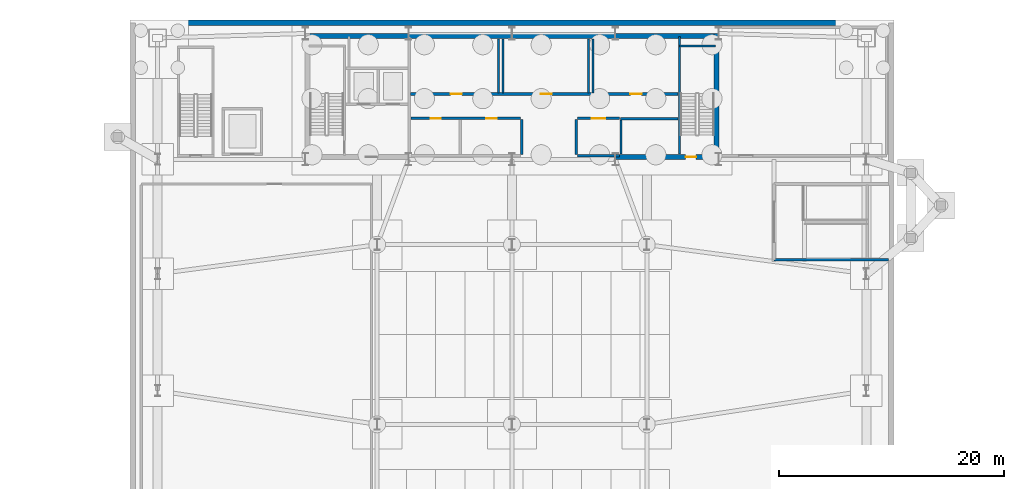
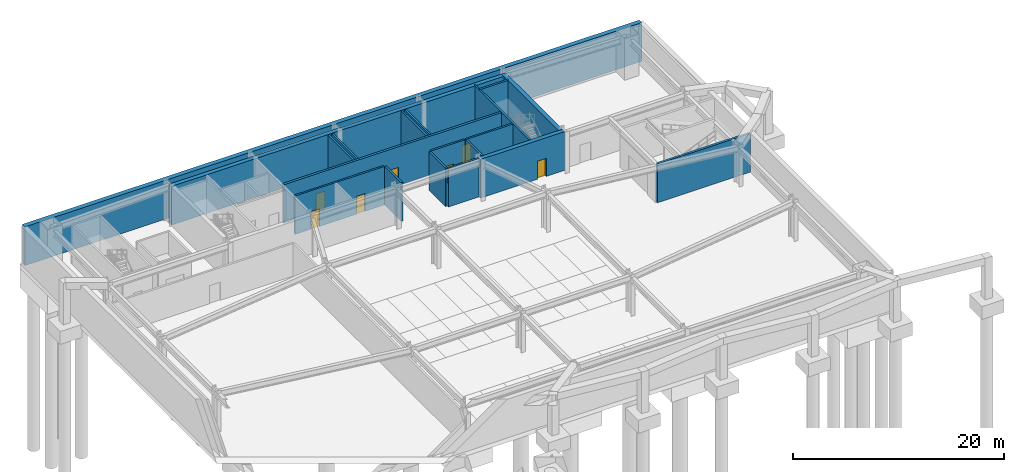
# One storey, part 7 of 12: 19 walls, 7 doors, 7 openings.
"""IFC4 building model written with IfcOpenShell, lengths in metres."""

from ifc_helpers import new_model, si_unit, direction, frame, frame_2d, origin, place, context, subcontext, project, spatial, rectangle, extrude, source, transform, mapped, material, layer, layer_set, type_object, type_shapes, element, fill, save


model = new_model("IFC4")

# Units and contexts
model_context = context("Model", 3, precision=1e-05, world=origin(), true_north=direction((0.0, 1.0)))
body_context = subcontext(model_context, "Body", "Model", "MODEL_VIEW")
ifc_project = project(units=[si_unit("LENGTHUNIT", "METRE"), si_unit("AREAUNIT", "SQUARE_METRE"), si_unit("VOLUMEUNIT", "CUBIC_METRE"), si_unit("PLANEANGLEUNIT", "RADIAN"), si_unit("MASSUNIT", "GRAM", prefix="KILO")], contexts=[model_context])

# Site, building, storey
site_placement = place(None, origin())
site = spatial("IfcSite", under=ifc_project, at=site_placement, CompositionType="ELEMENT")
building_placement = place(site_placement, origin())
building = spatial("IfcBuilding", under=site, at=building_placement, Name="Varnel Quay Broadcast Tower", CompositionType="ELEMENT")
storey_placement = place(building_placement, frame((0.0, 0.0, -9.60009765625)))
storey = spatial("IfcBuildingStorey", under=building, at=storey_placement, Name="B2", CompositionType="ELEMENT", Elevation=-9.60009765625)

# Walls
ifc_material_1 = material(Name="Concrete CSA A23.3 C50/60", Category="concrete")
ifc_layer_1 = layer(ifc_material_1, 0.5, Name="Concrete CSA A23.3 C50/60")
ifc_layer_set_1 = layer_set([ifc_layer_1], Name="Concrete CSA A23.3 C50/60")
wall_type_1 = type_object("IfcWallType", Name="Wall_BasementRetaining500", PredefinedType="USERDEFINED", material=ifc_layer_set_1)
wall_1_placement = place(storey_placement, frame((67.75, 47.75, 0.0), z_axis=(0.0, 0.0, 1.0), x_axis=(-1.0, 0.0, 0.0)))
element("IfcWall", 1, at=wall_1_placement, inside=storey, type_object=wall_type_1, Name="B2 Perimeter Retaining Wall N", ObjectType="RETAININGWALL", PredefinedType="USERDEFINED", context=body_context, shape_type="SweptSolid", body=[
    extrude(rectangle(XDim=67.5, YDim=0.5, at=frame_2d((33.75, 0.0))), origin(), (0.0, 0.0, 1.0), 4.47998046875),
])
ifc_layer_2 = layer(ifc_material_1, 0.199951171875, Name="Concrete CSA A23.3 C50/60")
ifc_layer_set_2 = layer_set([ifc_layer_2], Name="Concrete CSA A23.3 C50/60")
wall_type_2 = type_object("IfcWallType", Name="Wall_CoreShaftShear200", PredefinedType="SHEAR", material=ifc_layer_set_2)
wall_2_placement = place(storey_placement, frame((48.919921875, 36.050048828125, 0.0), z_axis=(0.0, 0.0, 1.0), x_axis=(0.0, 1.0, 0.0)))
element("IfcWall", 2, at=wall_2_placement, inside=storey, type_object=wall_type_2, Name="B2 Stair 2 West Structural Wall", PredefinedType="SHEAR", context=body_context, shape_type="SweptSolid", body=[
    extrude(rectangle(XDim=10.5, YDim=0.199951171875, at=frame_2d((5.25, 0.0))), origin(), (0.0, 0.0, 1.0), 4.47998046875),
])
wall_3_placement = place(storey_placement, frame((48.919921875, 45.679931640625, 0.0), z_axis=(0.0, 0.0, 1.0), x_axis=(1.0, 0.0, 0.0)))
element("IfcWall", 3, at=wall_3_placement, inside=storey, type_object=wall_type_2, Name="B2 Stair 2 North Structural Wall", PredefinedType="SHEAR", context=body_context, shape_type="SweptSolid", body=[
    extrude(rectangle(XDim=3.18017578125, YDim=0.199951171875, at=frame_2d((1.590087890625, 0.0))), origin(), (0.0, 0.0, 1.0), 4.47998046875),
])
wall_4_placement = place(storey_placement, frame((43.699951171875, 36.050048828125, 0.0), z_axis=(0.0, 0.0, 1.0), x_axis=(0.0, 1.0, 0.0)))
element("IfcWall", 4, at=wall_4_placement, inside=storey, type_object=wall_type_2, Name="B2 Express Lift Shaft West Wall", PredefinedType="SHEAR", context=body_context, shape_type="SweptSolid", body=[
    extrude(rectangle(XDim=3.050048828125, YDim=0.199951171875, at=frame_2d((1.52490234375, 0.0))), origin(), (0.0, 0.0, 1.0), 4.47998046875),
])
wall_5_placement = place(storey_placement, frame((43.64990234375, 39.199951171875, 0.0), z_axis=(0.0, 0.0, 1.0), x_axis=(1.0, 0.0, 0.0)))
element("IfcWall", 5, at=wall_5_placement, inside=storey, type_object=wall_type_2, Name="B2 Express Lift Shaft North Front Wall", PredefinedType="SHEAR", context=body_context, shape_type="SweptSolid", body=[
    extrude(rectangle(XDim=5.150146484375, YDim=0.199951171875, at=frame_2d((2.5751953125, 0.0))), origin(), (0.0, 0.0, 1.0), 4.47998046875),
])
ifc_layer_3 = layer(ifc_material_1, 0.25, Name="Concrete CSA A23.3 C50/60")
ifc_layer_set_3 = layer_set([ifc_layer_3], Name="Concrete CSA A23.3 C50/60")
wall_type_3 = type_object("IfcWallType", Name="Wall_CoreShaftShear250", PredefinedType="SHEAR", material=ifc_layer_set_3)
wall_6_placement = place(storey_placement, frame((57.320068359375, 26.64990234375, 0.0), z_axis=(0.0, 0.0, 1.0), x_axis=(1.0, 0.0, 0.0)))
element("IfcWall", 6, at=wall_6_placement, inside=storey, type_object=wall_type_3, Name="B2 Vehicle Ramp Structural Enclosure Wall S", PredefinedType="SHEAR", context=body_context, shape_type="SweptSolid", body=[
    extrude(rectangle(XDim=10.179931640625, YDim=0.25, at=frame_2d((5.08984375, 0.0))), origin(), (0.0, 0.0, 1.0), 4.47998046875),
])

# Wall, openings, doors
wall_7_placement = place(storey_placement, frame((24.97998046875, 41.39990234375, 0.0), z_axis=(0.0, 0.0, 1.0), x_axis=(1.0, 0.0, 0.0)))
wall_7 = element("IfcWall", 7, at=wall_7_placement, inside=storey, type_object=wall_type_3, Name="B2 North Lift Bank & Reclaimed Suite Wall", PredefinedType="SHEAR", context=body_context, shape_type="SweptSolid", body=[
    extrude(rectangle(XDim=23.820068359375, YDim=0.25, at=frame_2d((11.91015625, 0.0))), origin(), (0.0, 0.0, 1.0), 4.47998046875),
])
opening_1_placement = place(wall_7_placement, frame((3.56005859375, 0.0, 0.0)))
opening_1 = element("IfcOpeningElement", 8, at=opening_1_placement, cuts=wall_7, Name="Opening D-B2-BSTOR1", PredefinedType="OPENING", context=body_context, shape_type="SweptSolid", body=[
    extrude(rectangle(XDim=1.0, YDim=2.080078125, at=frame_2d((0.5, 1.0400390625))), frame((0.0, 0.135009765625, 0.0), z_axis=(0.0, -1.0, 0.0), x_axis=(1.0, 0.0, 0.0)), (0.0, 0.0, 1.0), 0.27001953125),
])
opening_2_placement = place(wall_7_placement, frame((11.56005859375, 0.0, 0.0)))
opening_2 = element("IfcOpeningElement", 9, at=opening_2_placement, cuts=wall_7, Name="Opening D-B2-BSTOR2", PredefinedType="OPENING", context=body_context, shape_type="SweptSolid", body=[
    extrude(rectangle(XDim=1.0, YDim=2.080078125, at=frame_2d((0.5, 1.0400390625))), frame((0.0, 0.135009765625, 0.0), z_axis=(0.0, -1.0, 0.0), x_axis=(1.0, 0.0, 0.0)), (0.0, 0.0, 1.0), 0.27001953125),
])
opening_3_placement = place(wall_7_placement, frame((19.56005859375, 0.0, 0.0)))
opening_3 = element("IfcOpeningElement", 10, at=opening_3_placement, cuts=wall_7, Name="Opening D-B2-BSTOR3", PredefinedType="OPENING", context=body_context, shape_type="SweptSolid", body=[
    extrude(rectangle(XDim=1.0, YDim=2.080078125, at=frame_2d((0.5, 1.0400390625))), frame((0.0, 0.135009765625, 0.0), z_axis=(0.0, -1.0, 0.0), x_axis=(1.0, 0.0, 0.0)), (0.0, 0.0, 1.0), 0.27001953125),
])
ifc_material_2 = material(Name="Insulated Fire-Rated Hollow Steel Door", Category="steel")
door_type_1 = type_object("IfcDoorType", Name="Door_FireLobby1000", OperationType="NOTDEFINED", PredefinedType="DOOR", material=ifc_material_2)
shared_shape_1 = source(origin(), body_context, "Body", "SweptSolid", [
    extrude(rectangle(XDim=1.0, YDim=2.080078125, at=frame_2d((0.5, 1.0400390625))), frame((0.0, 0.02490234375, 0.0), z_axis=(0.0, -1.0, 0.0), x_axis=(1.0, 0.0, 0.0)), (0.0, 0.0, 1.0), 0.050048828125),
])
type_shapes(door_type_1, [shared_shape_1])
door_1_placement = place(opening_1_placement, origin())
door_1 = element("IfcDoor", 11, at=door_1_placement, inside=storey, type_object=door_type_1, Name="B2 Basement Pump Room Door", OperationType="SINGLE_SWING_RIGHT", OverallHeight=2.080078125, OverallWidth=1.0, PredefinedType="DOOR", context=body_context, shape_type="MappedRepresentation", body=[
    mapped(shared_shape_1, transform((0.0, 0.0, 0.0), x_axis=(1.0, 0.0, 0.0), y_axis=(0.0, 1.0, 0.0), z_axis=(0.0, 0.0, 1.0), scale=1.0)),
])
fill(opening_1, door_1)
door_2_placement = place(opening_2_placement, origin())
door_2 = element("IfcDoor", 12, at=door_2_placement, inside=storey, type_object=door_type_1, Name="B2 Sprinkler Valve Room Door", OperationType="SINGLE_SWING_LEFT", OverallHeight=2.080078125, OverallWidth=1.0, PredefinedType="DOOR", context=body_context, shape_type="MappedRepresentation", body=[
    mapped(shared_shape_1, transform((0.0, 0.0, 0.0), x_axis=(1.0, 0.0, 0.0), y_axis=(0.0, 1.0, 0.0), z_axis=(0.0, 0.0, 1.0), scale=1.0)),
])
fill(opening_2, door_2)
door_3_placement = place(opening_3_placement, origin())
door_3 = element("IfcDoor", 13, at=door_3_placement, inside=storey, type_object=door_type_1, Name="B2 Main Switchgear Vault Door", OperationType="SINGLE_SWING_RIGHT", OverallHeight=2.080078125, OverallWidth=1.0, PredefinedType="DOOR", context=body_context, shape_type="MappedRepresentation", body=[
    mapped(shared_shape_1, transform((0.0, 0.0, 0.0), x_axis=(1.0, 0.0, 0.0), y_axis=(0.0, 1.0, 0.0), z_axis=(0.0, 0.0, 1.0), scale=1.0)),
])
fill(opening_3, door_3)

# Walls
ifc_material_3 = material(Name="Concrete CSA A23.3 C60/75", Category="concrete")
ifc_layer_4 = layer(ifc_material_3, 0.449951171875, Name="Concrete CSA A23.3 C60/75")
ifc_layer_set_4 = layer_set([ifc_layer_4], Name="Concrete CSA A23.3 C60/75")
wall_type_4 = type_object("IfcWallType", Name="Wall_CoreShearInt450", PredefinedType="SHEAR", material=ifc_layer_set_4)
wall_8_placement = place(storey_placement, frame((15.60009765625, 46.574951171875, 0.0), z_axis=(0.0, 0.0, 1.0), x_axis=(1.0, 0.0, 0.0)))
element("IfcWall", 14, at=wall_8_placement, inside=storey, type_object=wall_type_4, Name="B2 North Core Shear Wall", PredefinedType="SHEAR", context=body_context, shape_type="SweptSolid", body=[
    extrude(rectangle(XDim=36.7998046875, YDim=0.449951171875, at=frame_2d((18.39990234375, 0.0))), origin(), (0.0, 0.0, 1.0), 4.47998046875),
])
wall_9_placement = place(storey_placement, frame((52.205078125, 35.570068359375, 0.0), z_axis=(0.0, 0.0, 1.0), x_axis=(0.0, 1.0, 0.0)))
element("IfcWall", 15, at=wall_9_placement, inside=storey, type_object=wall_type_4, Name="B2 East Core Shear Wall", PredefinedType="SHEAR", context=body_context, shape_type="SweptSolid", body=[
    extrude(rectangle(XDim=11.22998046875, YDim=0.449951171875, at=frame_2d((5.614990234375, 0.0))), origin(), (0.0, 0.0, 1.0), 4.47998046875),
])

# Wall, opening, door
wall_10_placement = place(storey_placement, frame((43.199951171875, 35.794921875, 0.0), z_axis=(0.0, 0.0, 1.0), x_axis=(1.0, 0.0, 0.0)))
wall_10 = element("IfcWall", 16, at=wall_10_placement, inside=storey, type_object=wall_type_4, Name="B2 South-East Core Shear Wall", PredefinedType="SHEAR", context=body_context, shape_type="SweptSolid", body=[
    extrude(rectangle(XDim=9.22998046875, YDim=0.449951171875, at=frame_2d((4.614990234375, 0.0))), origin(), (0.0, 0.0, 1.0), 4.47998046875),
])
opening_4_placement = place(wall_10_placement, frame((6.25, 0.0, 0.0)))
opening_4 = element("IfcOpeningElement", 17, at=opening_4_placement, cuts=wall_10, Name="Opening D-B2-S2", PredefinedType="OPENING", context=body_context, shape_type="SweptSolid", body=[
    extrude(rectangle(XDim=0.949951171875, YDim=2.10009765625, at=frame_2d((0.47509765625, 1.050048828125))), frame((0.0, 0.23486328125, 0.0), z_axis=(0.0, -1.0, 0.0), x_axis=(1.0, 0.0, 0.0)), (0.0, 0.0, 1.0), 0.469970703125),
])
door_type_2 = type_object("IfcDoorType", Name="Door_FireStair950", OperationType="NOTDEFINED", PredefinedType="DOOR", material=ifc_material_2)
shared_shape_2 = source(origin(), body_context, "Body", "SweptSolid", [
    extrude(rectangle(XDim=0.949951171875, YDim=2.10009765625, at=frame_2d((0.47509765625, 1.050048828125))), frame((0.0, 0.02490234375, 0.0), z_axis=(0.0, -1.0, 0.0), x_axis=(1.0, 0.0, 0.0)), (0.0, 0.0, 1.0), 0.050048828125),
])
type_shapes(door_type_2, [shared_shape_2])
door_4_placement = place(opening_4_placement, origin())
door_4 = element("IfcDoor", 18, at=door_4_placement, inside=storey, type_object=door_type_2, Name="B2 Stair 2 Fire Door", OperationType="SINGLE_SWING_LEFT", OverallHeight=2.10009765625, OverallWidth=0.949951171875, PredefinedType="DOOR", context=body_context, shape_type="MappedRepresentation", body=[
    mapped(shared_shape_2, transform((0.0, 0.0, 0.0), x_axis=(1.0, 0.0, 0.0), y_axis=(0.0, 1.0, 0.0), z_axis=(0.0, 0.0, 1.0), scale=1.0)),
])
fill(opening_4, door_4)

# Wall
ifc_material_4 = material(Name="Concrete Blockwork Fire Enclosure C40/50", Category="masonry")
ifc_layer_5 = layer(ifc_material_4, 0.199951171875, Name="Concrete Blockwork Fire Enclosure C40/50")
ifc_layer_set_5 = layer_set([ifc_layer_5], Name="Concrete Blockwork Fire Enclosure C40/50")
wall_type_5 = type_object("IfcWallType", Name="Wall_FireShaft200", PredefinedType="SOLIDWALL", material=ifc_layer_set_5)
wall_11_placement = place(storey_placement, frame((39.85009765625, 35.925048828125, 0.0), z_axis=(0.0, 0.0, 1.0), x_axis=(1.0, 0.0, 0.0)))
element("IfcWall", 19, at=wall_11_placement, inside=storey, type_object=wall_type_5, Name="B2 Electrical Sub-Distribution Closet Partition 5", PredefinedType="SOLIDWALL", context=body_context, shape_type="SweptSolid", body=[
    extrude(rectangle(XDim=3.699951171875, YDim=0.199951171875, at=frame_2d((1.85009765625, 0.0))), origin(), (0.0, 0.0, 1.0), 4.460205078125),
])

# Wall, opening, door
wall_12_placement = place(storey_placement, frame((39.85009765625, 39.25, 0.0), z_axis=(0.0, 0.0, 1.0), x_axis=(1.0, 0.0, 0.0)))
wall_12 = element("IfcWall", 20, at=wall_12_placement, inside=storey, type_object=wall_type_5, Name="B2 Electrical Sub-Distribution Closet Partition 6", PredefinedType="SOLIDWALL", context=body_context, shape_type="SweptSolid", body=[
    extrude(rectangle(XDim=3.699951171875, YDim=0.199951171875, at=frame_2d((1.85009765625, 0.0))), origin(), (0.0, 0.0, 1.0), 4.460205078125),
])
opening_5_placement = place(wall_12_placement, frame((1.25, 0.0, 0.0)))
opening_5 = element("IfcOpeningElement", 21, at=opening_5_placement, cuts=wall_12, Name="Opening D-B2-03", PredefinedType="OPENING", context=body_context, shape_type="SweptSolid", body=[
    extrude(rectangle(XDim=1.199951171875, YDim=2.10009765625, at=frame_2d((0.60009765625, 1.050048828125))), frame((0.0, 0.10986328125, 0.0), z_axis=(0.0, -1.0, 0.0), x_axis=(1.0, 0.0, 0.0)), (0.0, 0.0, 1.0), 0.219970703125),
])
door_type_3 = type_object("IfcDoorType", Name="Door_Plant1200", OperationType="NOTDEFINED", PredefinedType="DOOR", material=ifc_material_2)
shared_shape_3 = source(origin(), body_context, "Body", "SweptSolid", [
    extrude(rectangle(XDim=1.199951171875, YDim=2.10009765625, at=frame_2d((0.60009765625, 1.050048828125))), frame((0.0, 0.02490234375, 0.0), z_axis=(0.0, -1.0, 0.0), x_axis=(1.0, 0.0, 0.0)), (0.0, 0.0, 1.0), 0.050048828125),
])
type_shapes(door_type_3, [shared_shape_3])
door_5_placement = place(opening_5_placement, origin())
door_5 = element("IfcDoor", 22, at=door_5_placement, inside=storey, type_object=door_type_3, Name="B2 Electrical Sub-Distribution Closet Door D-B2-03", OperationType="SINGLE_SWING_RIGHT", OverallHeight=2.10009765625, OverallWidth=1.199951171875, PredefinedType="DOOR", context=body_context, shape_type="MappedRepresentation", body=[
    mapped(shared_shape_3, transform((0.0, 0.0, 0.0), x_axis=(1.0, 0.0, 0.0), y_axis=(0.0, 1.0, 0.0), z_axis=(0.0, 0.0, 1.0), scale=1.0)),
])
fill(opening_5, door_5)

# Walls
wall_13_placement = place(storey_placement, frame((39.72509765625, 36.02490234375, 0.0), z_axis=(0.0, 0.0, 1.0), x_axis=(0.0, 1.0, 0.0)))
element("IfcWall", 23, at=wall_13_placement, inside=storey, type_object=wall_type_5, Name="B2 Electrical Sub-Distribution Closet Partition 7", PredefinedType="SOLIDWALL", context=body_context, shape_type="SweptSolid", body=[
    extrude(rectangle(XDim=3.125, YDim=0.199951171875, at=frame_2d((1.5625, 0.0))), origin(), (0.0, 0.0, 1.0), 4.460205078125),
])
for number, where, z_axis, x_axis, name in (
    (24, (32.800048828125, 41.5, 0.0), (0.0, 0.0, 1.0), (0.0, 1.0, 0.0), "B2 Basement Pump Room Partition 15"),
    (25, (40.800048828125, 41.5, 0.0), (0.0, 0.0, 1.0), (0.0, 1.0, 0.0), "B2 Sprinkler Valve Room Partition 16"),
    (26, (33.199951171875, 41.5, 0.0), (0.0, 0.0, 1.0), (0.0, 1.0, 0.0), "B2 Sprinkler Valve Room Partition 17"),
    (27, (41.199951171875, 41.5, 0.0), (0.0, 0.0, 1.0), (0.0, 1.0, 0.0), "B2 Main Switchgear Vault Partition 18"),
):
    element("IfcWall", number, at=place(storey_placement, frame(where, z_axis=z_axis, x_axis=x_axis)), inside=storey, type_object=wall_type_5, Name=name, PredefinedType="SOLIDWALL", context=body_context, shape_type="SweptSolid", body=[
        extrude(rectangle(XDim=4.800048828125, YDim=0.199951171875, at=frame_2d((2.39990234375, 0.0))), origin(), (0.0, 0.0, 1.0), 4.460205078125),
    ])

# Wall, openings, doors
ifc_material_5 = material(Name="Fire-Rated Moisture-Resistant Plumbing Chase Partition")
ifc_layer_6 = layer(ifc_material_5, 0.199951171875, Name="Fire-Rated Moisture-Resistant Plumbing Chase Partition")
ifc_layer_set_6 = layer_set([ifc_layer_6], Name="Fire-Rated Moisture-Resistant Plumbing Chase Partition")
wall_type_6 = type_object("IfcWallType", Name="Wall_Plumbing200", PredefinedType="PLUMBINGWALL", material=ifc_layer_set_6)
wall_14_placement = place(storey_placement, frame((25.0, 39.25, 0.0), z_axis=(0.0, 0.0, 1.0), x_axis=(1.0, 0.0, 0.0)))
wall_14 = element("IfcWall", 28, at=wall_14_placement, inside=storey, type_object=wall_type_6, Name="B2 Accessible Washroom Partition 3", PredefinedType="PLUMBINGWALL", context=body_context, shape_type="SweptSolid", body=[
    extrude(rectangle(XDim=9.75, YDim=0.199951171875, at=frame_2d((4.875, 0.0))), origin(), (0.0, 0.0, 1.0), 4.460205078125),
])
opening_6_placement = place(wall_14_placement, frame((1.75, 0.0, 0.0)))
opening_6 = element("IfcOpeningElement", 29, at=opening_6_placement, cuts=wall_14, Name="Opening D-B2-01", PredefinedType="OPENING", context=body_context, shape_type="SweptSolid", body=[
    extrude(rectangle(XDim=0.89990234375, YDim=2.06005859375, at=frame_2d((0.449951171875, 1.030029296875))), frame((0.0, 0.10986328125, 0.0), z_axis=(0.0, -1.0, 0.0), x_axis=(1.0, 0.0, 0.0)), (0.0, 0.0, 1.0), 0.219970703125),
])
opening_7_placement = place(wall_14_placement, frame((6.72509765625, 0.0, 0.0)))
opening_7 = element("IfcOpeningElement", 30, at=opening_7_placement, cuts=wall_14, Name="Opening D-B2-02", PredefinedType="OPENING", context=body_context, shape_type="SweptSolid", body=[
    extrude(rectangle(XDim=0.89990234375, YDim=2.06005859375, at=frame_2d((0.449951171875, 1.030029296875))), frame((0.0, 0.10986328125, 0.0), z_axis=(0.0, -1.0, 0.0), x_axis=(1.0, 0.0, 0.0)), (0.0, 0.0, 1.0), 0.219970703125),
])
ifc_material_6 = material(Name="Solid-Core Fire-Rated Acoustic Oak Veneer Door", Category="wood")
door_type_4 = type_object("IfcDoorType", Name="Door_Washroom900", OperationType="NOTDEFINED", PredefinedType="DOOR", material=ifc_material_6)
shared_shape_4 = source(origin(), body_context, "Body", "SweptSolid", [
    extrude(rectangle(XDim=0.89990234375, YDim=2.06005859375, at=frame_2d((0.449951171875, 1.030029296875))), frame((0.0, 0.02490234375, 0.0), z_axis=(0.0, -1.0, 0.0), x_axis=(1.0, 0.0, 0.0)), (0.0, 0.0, 1.0), 0.050048828125),
])
type_shapes(door_type_4, [shared_shape_4])
door_6_placement = place(opening_6_placement, frame((0.89990234375, 0.0, 0.0), z_axis=(0.0, 0.0, 1.0), x_axis=(-1.0, 0.0, 0.0)))
door_6 = element("IfcDoor", 31, at=door_6_placement, inside=storey, type_object=door_type_4, Name="B2 Accessible Washroom Door D-B2-01", OperationType="SINGLE_SWING_RIGHT", OverallHeight=2.06005859375, OverallWidth=0.89990234375, PredefinedType="DOOR", context=body_context, shape_type="MappedRepresentation", body=[
    mapped(shared_shape_4, transform((0.0, 0.0, 0.0), x_axis=(1.0, 0.0, 0.0), y_axis=(0.0, 1.0, 0.0), z_axis=(0.0, 0.0, 1.0), scale=1.0)),
])
fill(opening_6, door_6)
door_7_placement = place(opening_7_placement, frame((0.89990234375, 0.0, 0.0), z_axis=(0.0, 0.0, 1.0), x_axis=(-1.0, 0.0, 0.0)))
door_7 = element("IfcDoor", 32, at=door_7_placement, inside=storey, type_object=door_type_4, Name="B2 Staff Washrooms Door D-B2-02", OperationType="SINGLE_SWING_LEFT", OverallHeight=2.06005859375, OverallWidth=0.89990234375, PredefinedType="DOOR", context=body_context, shape_type="MappedRepresentation", body=[
    mapped(shared_shape_4, transform((0.0, 0.0, 0.0), x_axis=(1.0, 0.0, 0.0), y_axis=(0.0, 1.0, 0.0), z_axis=(0.0, 0.0, 1.0), scale=1.0)),
])
fill(opening_7, door_7)

# Wall
wall_15_placement = place(storey_placement, frame((34.875, 36.02490234375, 0.0), z_axis=(0.0, 0.0, 1.0), x_axis=(0.0, 1.0, 0.0)))
element("IfcWall", 33, at=wall_15_placement, inside=storey, type_object=wall_type_6, Name="B2 Staff Washrooms Partition 4", PredefinedType="PLUMBINGWALL", context=body_context, shape_type="SweptSolid", body=[
    extrude(rectangle(XDim=3.125, YDim=0.199951171875, at=frame_2d((1.5625, 0.0))), origin(), (0.0, 0.0, 1.0), 4.460205078125),
])

save(model, "model.ifc")
